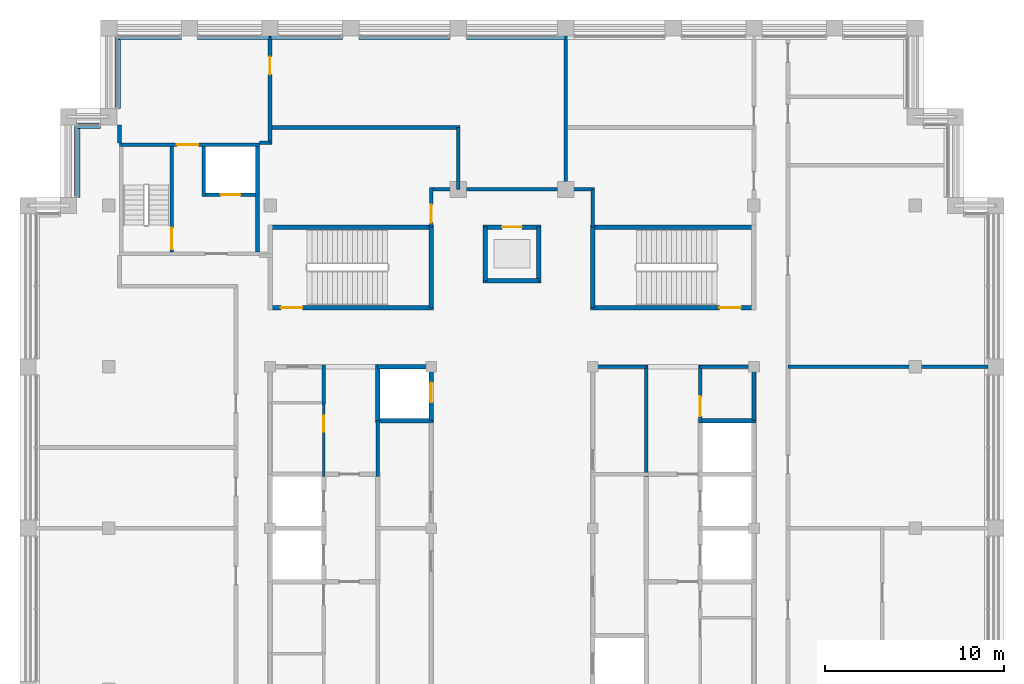
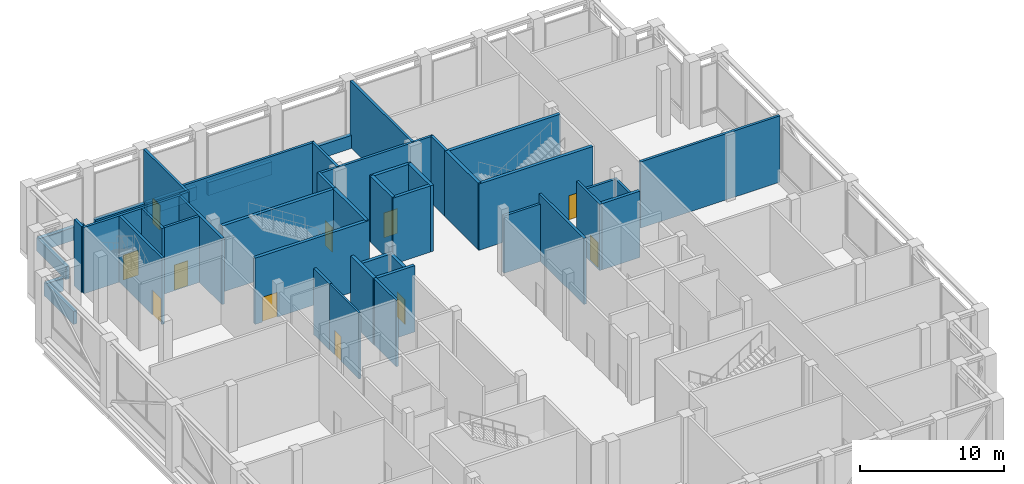
# One storey, part 14 of 17: 46 walls, 11 doors, 11 openings.
"""IFC4 building model written with IfcOpenShell, lengths in metres."""

from ifc_helpers import new_model, si_unit, direction, frame, frame_2d, origin, place, context, subcontext, project, spatial, rectangle, extrude, material, layer, layer_set, type_object, element, fill, save


model = new_model("IFC4")

# Units and contexts
model_context = context("Model", 3, precision=1e-05, world=origin(), true_north=direction((0.0, 1.0)))
body_context = subcontext(model_context, "Body", "Model", "MODEL_VIEW")
ifc_project = project(units=[si_unit("LENGTHUNIT", "METRE"), si_unit("AREAUNIT", "SQUARE_METRE"), si_unit("VOLUMEUNIT", "CUBIC_METRE"), si_unit("PLANEANGLEUNIT", "RADIAN"), si_unit("MASSUNIT", "GRAM", prefix="KILO")], contexts=[model_context])

# Site, building, storey
site_placement = place(None, origin())
site = spatial("IfcSite", under=ifc_project, at=site_placement, CompositionType="ELEMENT")
building_placement = place(site_placement, origin())
building = spatial("IfcBuilding", under=site, at=building_placement, Name="Corbelhall Arena Tower", CompositionType="ELEMENT")
storey_placement = place(building_placement, frame((0.0, 0.0, 350.0)))
storey = spatial("IfcBuildingStorey", under=building, at=storey_placement, Name="L77", CompositionType="ELEMENT", Elevation=350.0)

# Walls
ifc_material_1 = material(Name="Precast concrete C40/50 with granite facing", Category="masonry")
ifc_layer_1 = layer(ifc_material_1, 0.300048828125)
ifc_layer_set_1 = layer_set([ifc_layer_1], Name="EV-IW1 Infill panel 300")
wall_type_1 = type_object("IfcWallType", Name="EV-IW1 Infill panel 300", PredefinedType="SOLIDWALL", material=ifc_layer_set_1)
wall_1_placement = place(storey_placement, frame((2.949951171875, 27.39990234375, 0.0), z_axis=(0.0, 0.0, 1.0), x_axis=(-1.0, 0.0, 0.0)))
element("IfcWall", 1, at=wall_1_placement, inside=storey, type_object=wall_type_1, Name="Infill panel IW1", PredefinedType="SOLIDWALL", context=body_context, shape_type="SweptSolid", body=[
    extrude(rectangle(XDim=5.5, YDim=0.300048828125, at=frame_2d((2.75, 0.0))), origin(), (0.0, 0.0, 1.0), 1.10009765625),
])
wall_2_placement = place(storey_placement, frame((-3.449951171875, 27.39990234375, 0.0), z_axis=(0.0, 0.0, 1.0), x_axis=(-1.0, 0.0, 0.0)))
element("IfcWall", 2, at=wall_2_placement, inside=storey, type_object=wall_type_1, Name="Infill panel IW1", PredefinedType="SOLIDWALL", context=body_context, shape_type="SweptSolid", body=[
    extrude(rectangle(XDim=5.10009765625, YDim=0.300048828125, at=frame_2d((2.550048828125, 0.0))), origin(), (0.0, 0.0, 1.0), 1.10009765625),
])
for number, where, z_axis, x_axis, name in (
    (3, (-9.449951171875, 27.39990234375, 0.0), (0.0, 0.0, 1.0), (-1.0, 0.0, 0.0), "Infill panel IW1"),
    (4, (-13.550048828125, 27.39990234375, 0.0), (0.0, 0.0, 1.0), (-1.0, 0.0, 0.0), "Infill panel IW1"),
):
    element("IfcWall", number, at=place(storey_placement, frame(where, z_axis=z_axis, x_axis=x_axis)), inside=storey, type_object=wall_type_1, Name=name, PredefinedType="SOLIDWALL", context=body_context, shape_type="SweptSolid", body=[
        extrude(rectangle(XDim=4.0, YDim=0.300048828125, at=frame_2d((2.0, 0.0))), origin(), (0.0, 0.0, 1.0), 1.10009765625),
    ])
wall_3_placement = place(storey_placement, frame((-18.449951171875, 27.39990234375, 0.0), z_axis=(0.0, 0.0, 1.0), x_axis=(-1.0, 0.0, 0.0)))
element("IfcWall", 5, at=wall_3_placement, inside=storey, type_object=wall_type_1, Name="Infill panel IW1", PredefinedType="SOLIDWALL", context=body_context, shape_type="SweptSolid", body=[
    extrude(rectangle(XDim=3.60009765625, YDim=0.300048828125, at=frame_2d((1.800048828125, 0.0))), origin(), (0.0, 0.0, 1.0), 1.10009765625),
])
wall_4_placement = place(storey_placement, frame((-22.0, 27.449951171875, 0.0), z_axis=(0.0, 0.0, 1.0), x_axis=(0.0, -1.0, 0.0)))
element("IfcWall", 6, at=wall_4_placement, inside=storey, type_object=wall_type_1, Name="Infill panel IW1", PredefinedType="SOLIDWALL", context=body_context, shape_type="SweptSolid", body=[
    extrude(rectangle(XDim=4.050048828125, YDim=0.300048828125, at=frame_2d((2.02490234375, 0.0))), origin(), (0.0, 0.0, 1.0), 1.10009765625),
])
wall_5_placement = place(storey_placement, frame((-22.949951171875, 22.449951171875, 0.0), z_axis=(0.0, 0.0, 1.0), x_axis=(-1.0, 0.0, 0.0)))
element("IfcWall", 7, at=wall_5_placement, inside=storey, type_object=wall_type_1, Name="Infill panel IW1", PredefinedType="SOLIDWALL", context=body_context, shape_type="SweptSolid", body=[
    extrude(rectangle(XDim=1.35009765625, YDim=0.300048828125, at=frame_2d((0.675048828125, 0.0))), origin(), (0.0, 0.0, 1.0), 1.10009765625),
])
wall_6_placement = place(storey_placement, frame((-24.25, 22.5, 0.0), z_axis=(0.0, 0.0, 1.0), x_axis=(0.0, -1.0, 0.0)))
element("IfcWall", 8, at=wall_6_placement, inside=storey, type_object=wall_type_1, Name="Infill panel IW1", PredefinedType="SOLIDWALL", context=body_context, shape_type="SweptSolid", body=[
    extrude(rectangle(XDim=4.050048828125, YDim=0.300048828125, at=frame_2d((2.02490234375, 0.0))), origin(), (0.0, 0.0, 1.0), 1.10009765625),
])
ifc_material_2 = material(Name="Gypsum board on steel stud, acoustic", Category="steel")
ifc_layer_2 = layer(ifc_material_2, 0.199951171875)
ifc_layer_set_2 = layer_set([ifc_layer_2], Name="IN-W-DM200")
wall_type_2 = type_object("IfcWallType", Name="IN-W-DM200", PredefinedType="PARTITIONING", material=ifc_layer_set_2)
wall_7_placement = place(storey_placement, frame((-21.89990234375, 21.5, 0.0), z_axis=(0.0, 0.0, 1.0), x_axis=(0.0, 1.0, 0.0)))
element("IfcWall", 9, at=wall_7_placement, inside=storey, type_object=wall_type_2, Name="Partition 005", PredefinedType="PARTITIONING", context=body_context, shape_type="SweptSolid", body=[
    extrude(rectangle(XDim=1.0, YDim=0.199951171875, at=frame_2d((0.5, 0.0))), origin(), (0.0, 0.0, 1.0), 5.599609375),
])
wall_8_placement = place(storey_placement, frame((-13.5, 21.5, 0.0), z_axis=(0.0, 0.0, 1.0), x_axis=(-1.0, 0.0, 0.0)))
element("IfcWall", 10, at=wall_8_placement, inside=storey, type_object=wall_type_2, Name="Partition 013", PredefinedType="PARTITIONING", context=body_context, shape_type="SweptSolid", body=[
    extrude(rectangle(XDim=0.60009765625, YDim=0.199951171875, at=frame_2d((0.300048828125, 0.0))), origin(), (0.0, 0.0, 1.0), 5.599609375),
])
wall_9_placement = place(storey_placement, frame((-13.5, 22.35009765625, 0.0), z_axis=(0.0, 0.0, 1.0), x_axis=(1.0, 0.0, 0.0)))
element("IfcWall", 11, at=wall_9_placement, inside=storey, type_object=wall_type_2, Name="Partition 014", PredefinedType="PARTITIONING", context=body_context, shape_type="SweptSolid", body=[
    extrude(rectangle(XDim=10.60009765625, YDim=0.199951171875, at=frame_2d((5.300048828125, 0.0))), origin(), (0.0, 0.0, 1.0), 5.599609375),
])

# Wall, opening, door
wall_10_placement = place(storey_placement, frame((-13.5, 27.449951171875, 0.0), z_axis=(0.0, 0.0, 1.0), x_axis=(0.0, -1.0, 0.0)))
wall_10 = element("IfcWall", 12, at=wall_10_placement, inside=storey, type_object=wall_type_2, Name="Partition 015", PredefinedType="PARTITIONING", context=body_context, shape_type="SweptSolid", body=[
    extrude(rectangle(XDim=6.050048828125, YDim=0.199951171875, at=frame_2d((3.02490234375, 0.0))), origin(), (0.0, 0.0, 1.0), 5.599609375),
])
opening_1_placement = place(wall_10_placement, frame((1.14990234375, 0.0, 0.0)))
opening_1 = element("IfcOpeningElement", 13, at=opening_1_placement, cuts=wall_10, Name="Opening 31020", PredefinedType="OPENING", context=body_context, shape_type="SweptSolid", body=[
    extrude(rectangle(XDim=1.0, YDim=2.10009765625, at=frame_2d((0.5, 1.050048828125))), frame((0.0, 0.10009765625, 0.0), z_axis=(0.0, -1.0, 0.0), x_axis=(1.0, 0.0, 0.0)), (0.0, 0.0, 1.0), 0.199951171875),
])
ifc_material_3 = material(Name="Steel door set", Category="steel")
door_type_1 = type_object("IfcDoorType", Name="IN-D-SW100", OperationType="NOTDEFINED", PredefinedType="DOOR", material=ifc_material_3)
door_1_placement = place(opening_1_placement, origin())
door_1 = element("IfcDoor", 14, at=door_1_placement, inside=storey, type_object=door_type_1, Name="Door 020", OperationType="SINGLE_SWING_LEFT", OverallHeight=2.10009765625, OverallWidth=1.0, PredefinedType="DOOR", context=body_context, shape_type="SweptSolid", body=[
    extrude(rectangle(XDim=1.0, YDim=2.10009765625, at=frame_2d((0.5, 1.050048828125))), frame((0.0, 0.02490234375, 0.0), z_axis=(0.0, -1.0, 0.0), x_axis=(1.0, 0.0, 0.0)), (0.0, 0.0, 1.0), 0.050048828125),
])
fill(opening_1, door_1)

wall_11_placement = place(storey_placement, frame((-4.5, 16.800048828125, 0.0), z_axis=(0.0, 0.0, 1.0), x_axis=(0.0, 1.0, 0.0)))
wall_11 = element("IfcWall", 15, at=wall_11_placement, inside=storey, type_object=wall_type_2, Name="Partition 017", PredefinedType="PARTITIONING", context=body_context, shape_type="SweptSolid", body=[
    extrude(rectangle(XDim=2.199951171875, YDim=0.199951171875, at=frame_2d((1.10009765625, 0.0))), origin(), (0.0, 0.0, 1.0), 5.599609375),
])
opening_2_placement = place(wall_11_placement, frame((0.25, 0.0, 0.0)))
opening_2 = element("IfcOpeningElement", 16, at=opening_2_placement, cuts=wall_11, Name="Opening 31019", PredefinedType="OPENING", context=body_context, shape_type="SweptSolid", body=[
    extrude(rectangle(XDim=1.0, YDim=2.10009765625, at=frame_2d((0.5, 1.050048828125))), frame((0.0, 0.10009765625, 0.0), z_axis=(0.0, -1.0, 0.0), x_axis=(1.0, 0.0, 0.0)), (0.0, 0.0, 1.0), 0.199951171875),
])
door_2_placement = place(opening_2_placement, origin())
door_2 = element("IfcDoor", 17, at=door_2_placement, inside=storey, type_object=door_type_1, Name="Door 019", OperationType="SINGLE_SWING_RIGHT", OverallHeight=2.10009765625, OverallWidth=1.0, PredefinedType="DOOR", context=body_context, shape_type="SweptSolid", body=[
    extrude(rectangle(XDim=1.0, YDim=2.10009765625, at=frame_2d((0.5, 1.050048828125))), frame((0.0, 0.02490234375, 0.0), z_axis=(0.0, -1.0, 0.0), x_axis=(1.0, 0.0, 0.0)), (0.0, 0.0, 1.0), 0.050048828125),
])
fill(opening_2, door_2)

# Walls
wall_12_placement = place(storey_placement, frame((-4.5, 18.89990234375, 0.0), z_axis=(0.0, 0.0, 1.0), x_axis=(1.0, 0.0, 0.0)))
element("IfcWall", 18, at=wall_12_placement, inside=storey, type_object=wall_type_2, Name="Partition 018", PredefinedType="PARTITIONING", context=body_context, shape_type="SweptSolid", body=[
    extrude(rectangle(XDim=9.10009765625, YDim=0.199951171875, at=frame_2d((4.550048828125, 0.0))), origin(), (0.0, 0.0, 1.0), 5.599609375),
])
wall_13_placement = place(storey_placement, frame((-3.0, 22.35009765625, 0.0), z_axis=(0.0, 0.0, 1.0), x_axis=(0.0, -1.0, 0.0)))
element("IfcWall", 19, at=wall_13_placement, inside=storey, type_object=wall_type_2, Name="Partition 020", PredefinedType="PARTITIONING", context=body_context, shape_type="SweptSolid", body=[
    extrude(rectangle(XDim=3.4501953125, YDim=0.199951171875, at=frame_2d((1.72509765625, 0.0))), origin(), (0.0, 0.0, 1.0), 5.599609375),
])
wall_14_placement = place(storey_placement, frame((3.0, 27.449951171875, 0.0), z_axis=(0.0, 0.0, 1.0), x_axis=(0.0, -1.0, 0.0)))
element("IfcWall", 20, at=wall_14_placement, inside=storey, type_object=wall_type_2, Name="Partition 024", PredefinedType="PARTITIONING", context=body_context, shape_type="SweptSolid", body=[
    extrude(rectangle(XDim=8.550048828125, YDim=0.199951171875, at=frame_2d((4.27490234375, 0.0))), origin(), (0.0, 0.0, 1.0), 5.599609375),
])
wall_15_placement = place(storey_placement, frame((4.5, 18.89990234375, 0.0), z_axis=(0.0, 0.0, 1.0), x_axis=(0.0, -1.0, 0.0)))
element("IfcWall", 21, at=wall_15_placement, inside=storey, type_object=wall_type_2, Name="Partition 026", PredefinedType="PARTITIONING", context=body_context, shape_type="SweptSolid", body=[
    extrude(rectangle(XDim=2.099853515625, YDim=0.199951171875, at=frame_2d((1.0498046875, 0.0))), origin(), (0.0, 0.0, 1.0), 5.599609375),
])
wall_16_placement = place(storey_placement, frame((15.39990234375, 9.0, 0.0), z_axis=(0.0, 0.0, 1.0), x_axis=(1.0, 0.0, 0.0)))
element("IfcWall", 22, at=wall_16_placement, inside=storey, type_object=wall_type_2, Name="Partition 034", PredefinedType="PARTITIONING", context=body_context, shape_type="SweptSolid", body=[
    extrude(rectangle(XDim=11.150146484375, YDim=0.199951171875, at=frame_2d((5.5751953125, 0.0))), origin(), (0.0, 0.0, 1.0), 5.599609375),
])

# Wall, opening, door
ifc_material_4 = material(Name="Concrete C40/50", Category="concrete")
ifc_layer_3 = layer(ifc_material_4, 0.199951171875)
ifc_layer_set_3 = layer_set([ifc_layer_3], Name="IN-W-EAR200")
wall_type_3 = type_object("IfcWallType", Name="IN-W-EAR200", PredefinedType="SOLIDWALL", material=ifc_layer_set_3)
wall_17_placement = place(storey_placement, frame((-21.89990234375, 21.39990234375, 0.0), z_axis=(0.0, 0.0, 1.0), x_axis=(1.0, 0.0, 0.0)))
wall_17 = element("IfcWall", 23, at=wall_17_placement, inside=storey, type_object=wall_type_3, Name="Fire service turret wall north", PredefinedType="SOLIDWALL", context=body_context, shape_type="SweptSolid", body=[
    extrude(rectangle(XDim=7.7998046875, YDim=0.199951171875, at=frame_2d((3.89990234375, 0.0))), origin(), (0.0, 0.0, 1.0), 5.599609375),
])
opening_3_placement = place(wall_17_placement, frame((3.199951171875, 0.0, 0.0)))
opening_3 = element("IfcOpeningElement", 24, at=opening_3_placement, cuts=wall_17, Name="Opening E313", PredefinedType="OPENING", context=body_context, shape_type="SweptSolid", body=[
    extrude(rectangle(XDim=1.199951171875, YDim=2.10009765625, at=frame_2d((0.60009765625, 1.050048828125))), frame((0.0, 0.10009765625, 0.0), z_axis=(0.0, -1.0, 0.0), x_axis=(1.0, 0.0, 0.0)), (0.0, 0.0, 1.0), 0.199951171875),
])
door_type_2 = type_object("IfcDoorType", Name="IN-D-ST120", OperationType="NOTDEFINED", PredefinedType="DOOR", material=ifc_material_3)
door_3_placement = place(opening_3_placement, origin())
door_3 = element("IfcDoor", 25, at=door_3_placement, inside=storey, type_object=door_type_2, Name="Door from fire service lift lobby to the north gallery", OperationType="SINGLE_SWING_LEFT", OverallHeight=2.10009765625, OverallWidth=1.199951171875, PredefinedType="DOOR", context=body_context, shape_type="SweptSolid", body=[
    extrude(rectangle(XDim=1.199951171875, YDim=2.10009765625, at=frame_2d((0.60009765625, 1.050048828125))), frame((0.0, 0.02490234375, 0.0), z_axis=(0.0, -1.0, 0.0), x_axis=(1.0, 0.0, 0.0)), (0.0, 0.0, 1.0), 0.050048828125),
])
fill(opening_3, door_3)

# Wall
wall_18_placement = place(storey_placement, frame((-14.199951171875, 15.39990234375, 0.0), z_axis=(0.0, 0.0, 1.0), x_axis=(0.0, 1.0, 0.0)))
element("IfcWall", 26, at=wall_18_placement, inside=storey, type_object=wall_type_3, Name="Fire service turret wall east", PredefinedType="SOLIDWALL", context=body_context, shape_type="SweptSolid", body=[
    extrude(rectangle(XDim=5.900146484375, YDim=0.199951171875, at=frame_2d((2.9501953125, 0.0))), origin(), (0.0, 0.0, 1.0), 5.599609375),
])

# Wall, opening, door
wall_19_placement = place(storey_placement, frame((-18.989990234375, 15.39990234375, 0.0), z_axis=(0.0, 0.0, 1.0), x_axis=(0.0, 1.0, 0.0)))
wall_19 = element("IfcWall", 27, at=wall_19_placement, inside=storey, type_object=wall_type_3, Name="Fire service turret wall stair", PredefinedType="SOLIDWALL", context=body_context, shape_type="SweptSolid", body=[
    extrude(rectangle(XDim=5.900146484375, YDim=0.199951171875, at=frame_2d((2.9501953125, 0.0))), origin(), (0.0, 0.0, 1.0), 5.599609375),
])
opening_4_placement = place(wall_19_placement, frame((0.14990234375, 0.0, 0.0)))
opening_4 = element("IfcOpeningElement", 28, at=opening_4_placement, cuts=wall_19, Name="Opening E311", PredefinedType="OPENING", context=body_context, shape_type="SweptSolid", body=[
    extrude(rectangle(XDim=1.199951171875, YDim=2.10009765625, at=frame_2d((0.60009765625, 1.050048828125))), frame((0.0, 0.10009765625, 0.0), z_axis=(0.0, -1.0, 0.0), x_axis=(1.0, 0.0, 0.0)), (0.0, 0.0, 1.0), 0.199951171875),
])
door_4_placement = place(opening_4_placement, origin())
door_4 = element("IfcDoor", 29, at=door_4_placement, inside=storey, type_object=door_type_2, Name="Stair door to fire service lobby", OperationType="SINGLE_SWING_LEFT", OverallHeight=2.10009765625, OverallWidth=1.199951171875, PredefinedType="DOOR", context=body_context, shape_type="SweptSolid", body=[
    extrude(rectangle(XDim=1.199951171875, YDim=2.10009765625, at=frame_2d((0.60009765625, 1.050048828125))), frame((0.0, 0.02490234375, 0.0), z_axis=(0.0, -1.0, 0.0), x_axis=(1.0, 0.0, 0.0)), (0.0, 0.0, 1.0), 0.050048828125),
])
fill(opening_4, door_4)

# Wall
wall_20_placement = place(storey_placement, frame((-17.199951171875, 18.5, 0.0), z_axis=(0.0, 0.0, 1.0), x_axis=(0.0, 1.0, 0.0)))
element("IfcWall", 30, at=wall_20_placement, inside=storey, type_object=wall_type_3, Name="Fire service turret wall hoistway west", PredefinedType="SOLIDWALL", context=body_context, shape_type="SweptSolid", body=[
    extrude(rectangle(XDim=2.800048828125, YDim=0.199951171875, at=frame_2d((1.39990234375, 0.0))), origin(), (0.0, 0.0, 1.0), 5.599609375),
])

# Wall, opening, door
wall_21_placement = place(storey_placement, frame((-17.10009765625, 18.60009765625, 0.0), z_axis=(0.0, 0.0, 1.0), x_axis=(1.0, 0.0, 0.0)))
wall_21 = element("IfcWall", 31, at=wall_21_placement, inside=storey, type_object=wall_type_3, Name="Fire service turret wall hoistway south", PredefinedType="SOLIDWALL", context=body_context, shape_type="SweptSolid", body=[
    extrude(rectangle(XDim=2.800048828125, YDim=0.199951171875, at=frame_2d((1.39990234375, 0.0))), origin(), (0.0, 0.0, 1.0), 5.599609375),
])
opening_5_placement = place(wall_21_placement, frame((0.85009765625, 0.0, 0.0)))
opening_5 = element("IfcOpeningElement", 32, at=opening_5_placement, cuts=wall_21, Name="Opening LD", PredefinedType="OPENING", context=body_context, shape_type="SweptSolid", body=[
    extrude(rectangle(XDim=1.10009765625, YDim=2.10009765625, at=frame_2d((0.550048828125, 1.050048828125))), frame((0.0, 0.10009765625, 0.0), z_axis=(0.0, -1.0, 0.0), x_axis=(1.0, 0.0, 0.0)), (0.0, 0.0, 1.0), 0.199951171875),
])
door_type_3 = type_object("IfcDoorType", Name="IN-D-LD110", OperationType="NOTDEFINED", PredefinedType="DOOR", material=ifc_material_3)
door_5_placement = place(opening_5_placement, origin())
door_5 = element("IfcDoor", 33, at=door_5_placement, inside=storey, type_object=door_type_3, Name="Landing door FS1", OperationType="SLIDING_TO_LEFT", OverallHeight=2.10009765625, OverallWidth=1.10009765625, PredefinedType="DOOR", context=body_context, shape_type="SweptSolid", body=[
    extrude(rectangle(XDim=1.10009765625, YDim=2.10009765625, at=frame_2d((0.550048828125, 1.050048828125))), frame((0.0, 0.02490234375, 0.0), z_axis=(0.0, -1.0, 0.0), x_axis=(1.0, 0.0, 0.0)), (0.0, 0.0, 1.0), 0.050048828125),
])
fill(opening_5, door_5)

# Walls
ifc_material_5 = material(Name="Concrete block wall", Category="concrete")
ifc_layer_4 = layer(ifc_material_5, 0.199951171875)
ifc_layer_set_4 = layer_set([ifc_layer_4], Name="IN-W-RS200")
wall_type_4 = type_object("IfcWallType", Name="IN-W-RS200", PredefinedType="SOLIDWALL", material=ifc_layer_set_4)
wall_22_placement = place(storey_placement, frame((-10.5, 6.925048828125, 0.0), z_axis=(0.0, 0.0, 1.0), x_axis=(0.0, 1.0, 0.0)))
element("IfcWall", 34, at=wall_22_placement, inside=storey, type_object=wall_type_4, Name="Partition 043", PredefinedType="SOLIDWALL", context=body_context, shape_type="SweptSolid", body=[
    extrude(rectangle(XDim=2.175048828125, YDim=0.199951171875, at=frame_2d((1.08740234375, 0.0))), origin(), (0.0, 0.0, 1.0), 5.599609375),
])
wall_23_placement = place(storey_placement, frame((-7.5, 2.875, 0.0), z_axis=(0.0, 0.0, 1.0), x_axis=(0.0, 1.0, 0.0)))
element("IfcWall", 35, at=wall_23_placement, inside=storey, type_object=wall_type_4, Name="Partition 046", PredefinedType="SOLIDWALL", context=body_context, shape_type="SweptSolid", body=[
    extrude(rectangle(XDim=3.125, YDim=0.199951171875, at=frame_2d((1.5625, 0.0))), origin(), (0.0, 0.0, 1.0), 5.599609375),
])
wall_24_placement = place(storey_placement, frame((7.5, 9.10009765625, 0.0), z_axis=(0.0, 0.0, 1.0), x_axis=(0.0, -1.0, 0.0)))
element("IfcWall", 36, at=wall_24_placement, inside=storey, type_object=wall_type_4, Name="Partition 053", PredefinedType="SOLIDWALL", context=body_context, shape_type="SweptSolid", body=[
    extrude(rectangle(XDim=6.22509765625, YDim=0.199951171875, at=frame_2d((3.112548828125, 0.0))), origin(), (0.0, 0.0, 1.0), 5.599609375),
])

# Wall, opening, door
wall_25_placement = place(storey_placement, frame((10.5, 9.10009765625, 0.0), z_axis=(0.0, 0.0, 1.0), x_axis=(0.0, -1.0, 0.0)))
wall_25 = element("IfcWall", 37, at=wall_25_placement, inside=storey, type_object=wall_type_4, Name="Partition 056", PredefinedType="SOLIDWALL", context=body_context, shape_type="SweptSolid", body=[
    extrude(rectangle(XDim=3.22509765625, YDim=0.199951171875, at=frame_2d((1.612548828125, 0.0))), origin(), (0.0, 0.0, 1.0), 5.599609375),
])
opening_6_placement = place(wall_25_placement, frame((1.75, 0.0, 0.0)))
opening_6 = element("IfcOpeningElement", 38, at=opening_6_placement, cuts=wall_25, Name="Opening 31014", PredefinedType="OPENING", context=body_context, shape_type="SweptSolid", body=[
    extrude(rectangle(XDim=1.10009765625, YDim=2.10009765625, at=frame_2d((0.550048828125, 1.050048828125))), frame((0.0, 0.10009765625, 0.0), z_axis=(0.0, -1.0, 0.0), x_axis=(1.0, 0.0, 0.0)), (0.0, 0.0, 1.0), 0.199951171875),
])
door_type_4 = type_object("IfcDoorType", Name="IN-D-FD110", OperationType="NOTDEFINED", PredefinedType="DOOR", material=ifc_material_3)
door_6_placement = place(opening_6_placement, origin())
door_6 = element("IfcDoor", 39, at=door_6_placement, inside=storey, type_object=door_type_4, Name="Door 014", OperationType="SINGLE_SWING_LEFT", OverallHeight=2.10009765625, OverallWidth=1.10009765625, PredefinedType="DOOR", context=body_context, shape_type="SweptSolid", body=[
    extrude(rectangle(XDim=1.10009765625, YDim=2.10009765625, at=frame_2d((0.550048828125, 1.050048828125))), frame((0.0, 0.02490234375, 0.0), z_axis=(0.0, -1.0, 0.0), x_axis=(1.0, 0.0, 0.0)), (0.0, 0.0, 1.0), 0.050048828125),
])
fill(opening_6, door_6)

# Walls
ifc_layer_5 = layer(ifc_material_5, 0.199951171875)
ifc_layer_set_5 = layer_set([ifc_layer_5], Name="IN-W-RS200 under beam 762 mm")
wall_type_5 = type_object("IfcWallType", Name="IN-W-RS200 under beam 762 mm", PredefinedType="SOLIDWALL", material=ifc_layer_set_5)
for number, where, z_axis, x_axis, name in (
    (40, (4.5, 9.0, 0.0), (0.0, 0.0, 1.0), (1.0, 0.0, 0.0), "Partition 051"),
    (41, (10.5, 9.0, 0.0), (0.0, 0.0, 1.0), (1.0, 0.0, 0.0), "Partition 055"),
):
    element("IfcWall", number, at=place(storey_placement, frame(where, z_axis=z_axis, x_axis=x_axis)), inside=storey, type_object=wall_type_5, Name=name, PredefinedType="SOLIDWALL", context=body_context, shape_type="SweptSolid", body=[
        extrude(rectangle(XDim=3.0, YDim=0.199951171875, at=frame_2d((1.5, 0.0))), origin(), (0.0, 0.0, 1.0), 4.837646484375),
    ])
wall_26_placement = place(storey_placement, frame((13.5, 9.10009765625, 0.0), z_axis=(0.0, 0.0, 1.0), x_axis=(0.0, -1.0, 0.0)))
element("IfcWall", 42, at=wall_26_placement, inside=storey, type_object=wall_type_5, Name="Partition 058", PredefinedType="SOLIDWALL", context=body_context, shape_type="SweptSolid", body=[
    extrude(rectangle(XDim=3.10009765625, YDim=0.199951171875, at=frame_2d((1.550048828125, 0.0))), origin(), (0.0, 0.0, 1.0), 4.837646484375),
])
ifc_layer_6 = layer(ifc_material_4, 0.25)
ifc_layer_set_6 = layer_set([ifc_layer_6], Name="IN-W-SH250")
wall_type_6 = type_object("IfcWallType", Name="IN-W-SH250", PredefinedType="SOLIDWALL", material=ifc_layer_set_6)
wall_27_placement = place(storey_placement, frame((-7.625, 6.0, 0.0), z_axis=(0.0, 0.0, 1.0), x_axis=(1.0, 0.0, 0.0)))
element("IfcWall", 43, at=wall_27_placement, inside=storey, type_object=wall_type_6, Name="Shaft wall 064", PredefinedType="SOLIDWALL", context=body_context, shape_type="SweptSolid", body=[
    extrude(rectangle(XDim=3.25, YDim=0.25, at=frame_2d((1.625, 0.0))), origin(), (0.0, 0.0, 1.0), 5.599609375),
])
wall_28_placement = place(storey_placement, frame((-7.5, 6.0, 0.0), z_axis=(0.0, 0.0, 1.0), x_axis=(0.0, 1.0, 0.0)))
element("IfcWall", 44, at=wall_28_placement, inside=storey, type_object=wall_type_6, Name="Shaft wall 066", PredefinedType="SOLIDWALL", context=body_context, shape_type="SweptSolid", body=[
    extrude(rectangle(XDim=3.125, YDim=0.25, at=frame_2d((1.5625, 0.0))), origin(), (0.0, 0.0, 1.0), 5.599609375),
])

# Wall, opening, door
wall_29_placement = place(storey_placement, frame((-1.625, 16.800048828125, 0.0), z_axis=(0.0, 0.0, 1.0), x_axis=(1.0, 0.0, 0.0)))
wall_29 = element("IfcWall", 45, at=wall_29_placement, inside=storey, type_object=wall_type_6, Name="Shaft wall 069", PredefinedType="SOLIDWALL", context=body_context, shape_type="SweptSolid", body=[
    extrude(rectangle(XDim=3.25, YDim=0.25, at=frame_2d((1.625, 0.0))), origin(), (0.0, 0.0, 1.0), 5.599609375),
])
opening_7_placement = place(wall_29_placement, frame((1.074951171875, 0.0, 0.0)))
opening_7 = element("IfcOpeningElement", 46, at=opening_7_placement, cuts=wall_29, Name="Opening LD", PredefinedType="OPENING", context=body_context, shape_type="SweptSolid", body=[
    extrude(rectangle(XDim=1.10009765625, YDim=2.10009765625, at=frame_2d((0.550048828125, 1.050048828125))), frame((0.0, 0.125, 0.0), z_axis=(0.0, -1.0, 0.0), x_axis=(1.0, 0.0, 0.0)), (0.0, 0.0, 1.0), 0.25),
])
door_7_placement = place(opening_7_placement, origin())
door_7 = element("IfcDoor", 47, at=door_7_placement, inside=storey, type_object=door_type_3, Name="Landing door C1", OperationType="SLIDING_TO_LEFT", OverallHeight=2.10009765625, OverallWidth=1.10009765625, PredefinedType="DOOR", context=body_context, shape_type="SweptSolid", body=[
    extrude(rectangle(XDim=1.10009765625, YDim=2.10009765625, at=frame_2d((0.550048828125, 1.050048828125))), frame((0.0, 0.02490234375, 0.0), z_axis=(0.0, -1.0, 0.0), x_axis=(1.0, 0.0, 0.0)), (0.0, 0.0, 1.0), 0.050048828125),
])
fill(opening_7, door_7)

# Walls
wall_30_placement = place(storey_placement, frame((-1.5, 13.800048828125, 0.0), z_axis=(0.0, 0.0, 1.0), x_axis=(0.0, 1.0, 0.0)))
element("IfcWall", 48, at=wall_30_placement, inside=storey, type_object=wall_type_6, Name="Shaft wall 070", PredefinedType="SOLIDWALL", context=body_context, shape_type="SweptSolid", body=[
    extrude(rectangle(XDim=3.0, YDim=0.25, at=frame_2d((1.5, 0.0))), origin(), (0.0, 0.0, 1.0), 5.599609375),
])
for number, where, z_axis, x_axis, name in (
    (49, (1.5, 13.800048828125, 0.0), (0.0, 0.0, 1.0), (-1.0, 0.0, 0.0), "Shaft wall 071"),
    (50, (1.5, 16.800048828125, 0.0), (0.0, 0.0, 1.0), (0.0, -1.0, 0.0), "Shaft wall 072"),
    (51, (10.5, 6.0, 0.0), (0.0, 0.0, 1.0), (1.0, 0.0, 0.0), "Shaft wall 082"),
):
    element("IfcWall", number, at=place(storey_placement, frame(where, z_axis=z_axis, x_axis=x_axis)), inside=storey, type_object=wall_type_6, Name=name, PredefinedType="SOLIDWALL", context=body_context, shape_type="SweptSolid", body=[
        extrude(rectangle(XDim=3.125, YDim=0.25, at=frame_2d((1.5625, 0.0))), origin(), (0.0, 0.0, 1.0), 5.599609375),
    ])
ifc_layer_7 = layer(ifc_material_4, 0.25)
ifc_layer_set_7 = layer_set([ifc_layer_7], Name="IN-W-SH250 under beam 762 mm")
wall_type_7 = type_object("IfcWallType", Name="IN-W-SH250 under beam 762 mm", PredefinedType="SOLIDWALL", material=ifc_layer_set_7)
wall_31_placement = place(storey_placement, frame((-7.5, 9.0, 0.0), z_axis=(0.0, 0.0, 1.0), x_axis=(1.0, 0.0, 0.0)))
element("IfcWall", 52, at=wall_31_placement, inside=storey, type_object=wall_type_7, Name="Shaft wall 067", PredefinedType="SOLIDWALL", context=body_context, shape_type="SweptSolid", body=[
    extrude(rectangle(XDim=3.0, YDim=0.25, at=frame_2d((1.5, 0.0))), origin(), (0.0, 0.0, 1.0), 4.837646484375),
])

# Wall, opening, door
wall_32_placement = place(storey_placement, frame((-4.5, 9.125, 0.0), z_axis=(0.0, 0.0, 1.0), x_axis=(0.0, -1.0, 0.0)))
wall_32 = element("IfcWall", 53, at=wall_32_placement, inside=storey, type_object=wall_type_7, Name="Shaft wall 068", PredefinedType="SOLIDWALL", context=body_context, shape_type="SweptSolid", body=[
    extrude(rectangle(XDim=3.125, YDim=0.25, at=frame_2d((1.5625, 0.0))), origin(), (0.0, 0.0, 1.0), 4.837646484375),
])
opening_8_placement = place(wall_32_placement, frame((1.012451171875, 0.0, 0.0)))
opening_8 = element("IfcOpeningElement", 54, at=opening_8_placement, cuts=wall_32, Name="Opening LD", PredefinedType="OPENING", context=body_context, shape_type="SweptSolid", body=[
    extrude(rectangle(XDim=1.10009765625, YDim=2.10009765625, at=frame_2d((0.550048828125, 1.050048828125))), frame((0.0, 0.125, 0.0), z_axis=(0.0, -1.0, 0.0), x_axis=(1.0, 0.0, 0.0)), (0.0, 0.0, 1.0), 0.25),
])
door_8_placement = place(opening_8_placement, origin())
door_8 = element("IfcDoor", 55, at=door_8_placement, inside=storey, type_object=door_type_3, Name="Landing door W6", OperationType="SLIDING_TO_LEFT", OverallHeight=2.10009765625, OverallWidth=1.10009765625, PredefinedType="DOOR", context=body_context, shape_type="SweptSolid", body=[
    extrude(rectangle(XDim=1.10009765625, YDim=2.10009765625, at=frame_2d((0.550048828125, 1.050048828125))), frame((0.0, 0.02490234375, 0.0), z_axis=(0.0, -1.0, 0.0), x_axis=(1.0, 0.0, 0.0)), (0.0, 0.0, 1.0), 0.050048828125),
])
fill(opening_8, door_8)

ifc_layer_8 = layer(ifc_material_4, 0.25)
ifc_layer_set_8 = layer_set([ifc_layer_8], Name="IN-W-ST250")
wall_type_8 = type_object("IfcWallType", Name="IN-W-ST250", PredefinedType="SOLIDWALL", material=ifc_layer_set_8)
wall_33_placement = place(storey_placement, frame((-13.5, 12.300048828125, 0.0), z_axis=(0.0, 0.0, 1.0), x_axis=(1.0, 0.0, 0.0)))
wall_33 = element("IfcWall", 56, at=wall_33_placement, inside=storey, type_object=wall_type_8, Name="Shaft wall 085", PredefinedType="SOLIDWALL", context=body_context, shape_type="SweptSolid", body=[
    extrude(rectangle(XDim=9.125, YDim=0.25, at=frame_2d((4.5625, 0.0))), origin(), (0.0, 0.0, 1.0), 5.599609375),
])
opening_9_placement = place(wall_33_placement, frame((0.60009765625, 0.0, 0.0)))
opening_9 = element("IfcOpeningElement", 57, at=opening_9_placement, cuts=wall_33, Name="Opening 31015", PredefinedType="OPENING", context=body_context, shape_type="SweptSolid", body=[
    extrude(rectangle(XDim=1.199951171875, YDim=2.10009765625, at=frame_2d((0.60009765625, 1.050048828125))), frame((0.0, 0.125, 0.0), z_axis=(0.0, -1.0, 0.0), x_axis=(1.0, 0.0, 0.0)), (0.0, 0.0, 1.0), 0.25),
])
door_9_placement = place(opening_9_placement, origin())
door_9 = element("IfcDoor", 58, at=door_9_placement, inside=storey, type_object=door_type_2, Name="Door 015", OperationType="SINGLE_SWING_RIGHT", OverallHeight=2.10009765625, OverallWidth=1.199951171875, PredefinedType="DOOR", context=body_context, shape_type="SweptSolid", body=[
    extrude(rectangle(XDim=1.199951171875, YDim=2.10009765625, at=frame_2d((0.60009765625, 1.050048828125))), frame((0.0, 0.02490234375, 0.0), z_axis=(0.0, -1.0, 0.0), x_axis=(1.0, 0.0, 0.0)), (0.0, 0.0, 1.0), 0.050048828125),
])
fill(opening_9, door_9)

# Walls
wall_34_placement = place(storey_placement, frame((-13.5, 16.800048828125, 0.0), z_axis=(0.0, 0.0, 1.0), x_axis=(1.0, 0.0, 0.0)))
element("IfcWall", 59, at=wall_34_placement, inside=storey, type_object=wall_type_8, Name="Shaft wall 087", PredefinedType="SOLIDWALL", context=body_context, shape_type="SweptSolid", body=[
    extrude(rectangle(XDim=9.10009765625, YDim=0.25, at=frame_2d((4.550048828125, 0.0))), origin(), (0.0, 0.0, 1.0), 5.599609375),
])
wall_35_placement = place(storey_placement, frame((-4.5, 16.925048828125, 0.0), z_axis=(0.0, 0.0, 1.0), x_axis=(0.0, -1.0, 0.0)))
element("IfcWall", 60, at=wall_35_placement, inside=storey, type_object=wall_type_8, Name="Shaft wall 089", PredefinedType="SOLIDWALL", context=body_context, shape_type="SweptSolid", body=[
    extrude(rectangle(XDim=4.625, YDim=0.25, at=frame_2d((2.3125, 0.0))), origin(), (0.0, 0.0, 1.0), 5.599609375),
])

# Wall, opening, door
wall_36_placement = place(storey_placement, frame((4.375, 12.300048828125, 0.0), z_axis=(0.0, 0.0, 1.0), x_axis=(1.0, 0.0, 0.0)))
wall_36 = element("IfcWall", 61, at=wall_36_placement, inside=storey, type_object=wall_type_8, Name="Shaft wall 092", PredefinedType="SOLIDWALL", context=body_context, shape_type="SweptSolid", body=[
    extrude(rectangle(XDim=9.125, YDim=0.25, at=frame_2d((4.5625, 0.0))), origin(), (0.0, 0.0, 1.0), 5.599609375),
])
opening_10_placement = place(wall_36_placement, frame((7.199951171875, 0.0, 0.0)))
opening_10 = element("IfcOpeningElement", 62, at=opening_10_placement, cuts=wall_36, Name="Opening 31017", PredefinedType="OPENING", context=body_context, shape_type="SweptSolid", body=[
    extrude(rectangle(XDim=1.199951171875, YDim=2.10009765625, at=frame_2d((0.60009765625, 1.050048828125))), frame((0.0, 0.125, 0.0), z_axis=(0.0, -1.0, 0.0), x_axis=(1.0, 0.0, 0.0)), (0.0, 0.0, 1.0), 0.25),
])
door_10_placement = place(opening_10_placement, origin())
door_10 = element("IfcDoor", 63, at=door_10_placement, inside=storey, type_object=door_type_2, Name="Door 017", OperationType="SINGLE_SWING_RIGHT", OverallHeight=2.10009765625, OverallWidth=1.199951171875, PredefinedType="DOOR", context=body_context, shape_type="SweptSolid", body=[
    extrude(rectangle(XDim=1.199951171875, YDim=2.10009765625, at=frame_2d((0.60009765625, 1.050048828125))), frame((0.0, 0.02490234375, 0.0), z_axis=(0.0, -1.0, 0.0), x_axis=(1.0, 0.0, 0.0)), (0.0, 0.0, 1.0), 0.050048828125),
])
fill(opening_10, door_10)

# Walls
wall_37_placement = place(storey_placement, frame((4.39990234375, 16.800048828125, 0.0), z_axis=(0.0, 0.0, 1.0), x_axis=(1.0, 0.0, 0.0)))
element("IfcWall", 64, at=wall_37_placement, inside=storey, type_object=wall_type_8, Name="Shaft wall 093", PredefinedType="SOLIDWALL", context=body_context, shape_type="SweptSolid", body=[
    extrude(rectangle(XDim=9.10009765625, YDim=0.25, at=frame_2d((4.550048828125, 0.0))), origin(), (0.0, 0.0, 1.0), 5.599609375),
])
wall_38_placement = place(storey_placement, frame((4.5, 12.300048828125, 0.0), z_axis=(0.0, 0.0, 1.0), x_axis=(0.0, 1.0, 0.0)))
element("IfcWall", 65, at=wall_38_placement, inside=storey, type_object=wall_type_8, Name="Shaft wall 095", PredefinedType="SOLIDWALL", context=body_context, shape_type="SweptSolid", body=[
    extrude(rectangle(XDim=4.625, YDim=0.25, at=frame_2d((2.3125, 0.0))), origin(), (0.0, 0.0, 1.0), 5.599609375),
])

# Wall, opening, door
ifc_material_6 = material(Name="Gypsum board on steel stud, moisture resistant", Category="steel")
ifc_layer_9 = layer(ifc_material_6, 0.14990234375)
ifc_layer_set_9 = layer_set([ifc_layer_9], Name="IN-W-WC150")
wall_type_9 = type_object("IfcWallType", Name="IN-W-WC150", PredefinedType="PARTITIONING", material=ifc_layer_set_9)
wall_39_placement = place(storey_placement, frame((-10.5, 2.875, 0.0), z_axis=(0.0, 0.0, 1.0), x_axis=(0.0, 1.0, 0.0)))
wall_39 = element("IfcWall", 66, at=wall_39_placement, inside=storey, type_object=wall_type_9, Name="Partition 106", PredefinedType="PARTITIONING", context=body_context, shape_type="SweptSolid", body=[
    extrude(rectangle(XDim=4.199951171875, YDim=0.14990234375, at=frame_2d((2.10009765625, 0.0))), origin(), (0.0, 0.0, 1.0), 5.599609375),
])
opening_11_placement = place(wall_39_placement, frame((2.5, 0.0, 0.0)))
opening_11 = element("IfcOpeningElement", 67, at=opening_11_placement, cuts=wall_39, Name="Opening 31007", PredefinedType="OPENING", context=body_context, shape_type="SweptSolid", body=[
    extrude(rectangle(XDim=0.89990234375, YDim=2.10009765625, at=frame_2d((0.449951171875, 1.050048828125))), frame((0.0, 0.074951171875, 0.0), z_axis=(0.0, -1.0, 0.0), x_axis=(1.0, 0.0, 0.0)), (0.0, 0.0, 1.0), 0.14990234375),
])
ifc_material_7 = material(Name="Timber door set", Category="wood")
door_type_5 = type_object("IfcDoorType", Name="IN-D-SW90", OperationType="NOTDEFINED", PredefinedType="DOOR", material=ifc_material_7)
door_11_placement = place(opening_11_placement, origin())
door_11 = element("IfcDoor", 68, at=door_11_placement, inside=storey, type_object=door_type_5, Name="Door 007", OperationType="SINGLE_SWING_RIGHT", OverallHeight=2.10009765625, OverallWidth=0.89990234375, PredefinedType="DOOR", context=body_context, shape_type="SweptSolid", body=[
    extrude(rectangle(XDim=0.89990234375, YDim=2.10009765625, at=frame_2d((0.449951171875, 1.050048828125))), frame((0.0, 0.02490234375, 0.0), z_axis=(0.0, -1.0, 0.0), x_axis=(1.0, 0.0, 0.0)), (0.0, 0.0, 1.0), 0.050048828125),
])
fill(opening_11, door_11)

save(model, "model.ifc")
